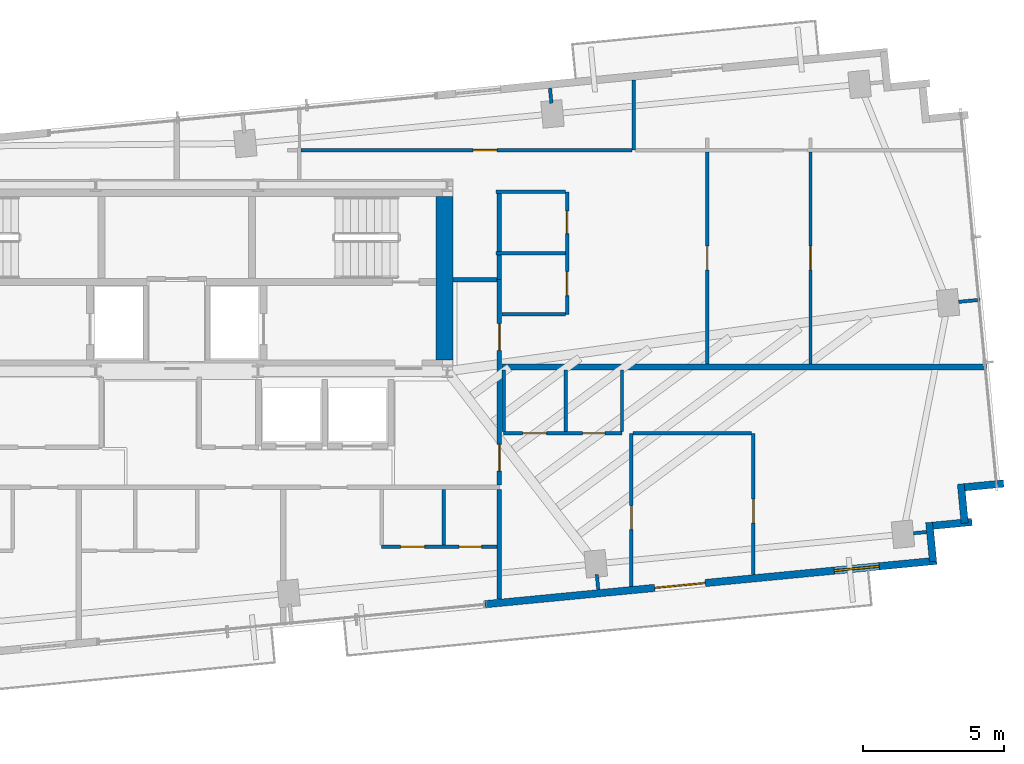
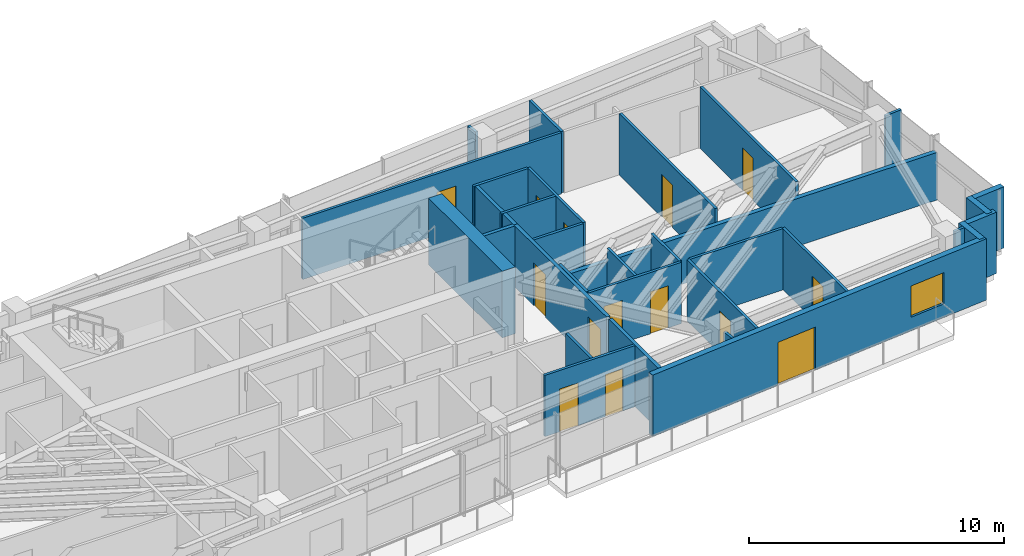
# One storey, part 15 of 18: 33 walls, 14 doors, 1 window, 15 openings.
"""IFC4 building model written with IfcOpenShell, lengths in metres."""

from ifc_helpers import new_model, si_unit, direction, frame, frame_2d, origin, place, context, subcontext, project, spatial, rectangle, extrude, source, transform, mapped, material, layer, layer_set, type_object, type_shapes, element, fill, save


model = new_model("IFC4")

# Units and contexts
model_context = context("Model", 3, precision=1e-05, world=origin(), true_north=direction((0.0, 1.0)))
body_context = subcontext(model_context, "Body", "Model", "MODEL_VIEW")
ifc_project = project(units=[si_unit("LENGTHUNIT", "METRE"), si_unit("AREAUNIT", "SQUARE_METRE"), si_unit("VOLUMEUNIT", "CUBIC_METRE"), si_unit("PLANEANGLEUNIT", "RADIAN"), si_unit("MASSUNIT", "GRAM", prefix="KILO")], contexts=[model_context])

# Site, building, storey
site_placement = place(None, origin())
site = spatial("IfcSite", under=ifc_project, at=site_placement, CompositionType="ELEMENT")
building_placement = place(site_placement, origin())
building = spatial("IfcBuilding", under=site, at=building_placement, Name="Astriad Promenade Condominiums", CompositionType="ELEMENT")
storey_placement = place(building_placement, frame((0.0, 0.0, 189.0)))
storey = spatial("IfcBuildingStorey", under=building, at=storey_placement, Name="L54", CompositionType="ELEMENT", Elevation=189.0)

# Walls
ifc_material_1 = material(Name="Concrete C50/60", Category="concrete")
ifc_layer_1 = layer(ifc_material_1, 0.60009765625)
ifc_layer_set_1 = layer_set([ifc_layer_1], Name="Concrete C50/60")
wall_type_1 = type_object("IfcWallType", Name="CW-SHEAR-600", PredefinedType="SHEAR", material=ifc_layer_set_1)
wall_1_placement = place(storey_placement, frame((45.5, 17.802001953125, 0.0), z_axis=(0.0, 0.0, 1.0), x_axis=(0.0, 1.0, 0.0)))
element("IfcWall", 1, at=wall_1_placement, inside=storey, type_object=wall_type_1, Name="CW-CORE-E-L54", PredefinedType="SHEAR", context=body_context, shape_type="SweptSolid", body=[
    extrude(rectangle(XDim=5.7958984375, YDim=0.60009765625, at=frame_2d((2.89794921875, 0.0))), origin(), (0.0, 0.0, 1.0), 3.199951171875),
])
ifc_material_2 = material(Name="Fire-Rated Gypsum Partition")
ifc_layer_2 = layer(ifc_material_2, 0.159912109375)
ifc_layer_set_2 = layer_set([ifc_layer_2], Name="Fire-Rated Gypsum Partition")
wall_type_2 = type_object("IfcWallType", Name="WALL-CORR-160", PredefinedType="PARTITIONING", material=ifc_layer_set_2)
wall_2_placement = place(storey_placement, frame((47.449951171875, 9.315185546875, 0.0), z_axis=(0.0, 0.0, 1.0), x_axis=(0.0, 1.0, 0.0)))
element("IfcWall", 2, at=wall_2_placement, inside=storey, type_object=wall_type_2, Name="PT-COR-E-L54", PredefinedType="PARTITIONING", context=body_context, shape_type="SweptSolid", body=[
    extrude(rectangle(XDim=3.8828125, YDim=0.159912109375, at=frame_2d((1.94140625, 0.0))), origin(), (0.0, 0.0, 1.0), 2.93994140625),
])

# Wall, openings, doors
wall_3_placement = place(storey_placement, frame((47.449951171875, 13.362060546875, 0.0), z_axis=(0.0, 0.0, 1.0), x_axis=(0.0, 1.0, 0.0)))
wall_3 = element("IfcWall", 3, at=wall_3_placement, inside=storey, type_object=wall_type_2, Name="PT-COR-E-L54-S2", PredefinedType="PARTITIONING", context=body_context, shape_type="SweptSolid", body=[
    extrude(rectangle(XDim=7.287841796875, YDim=0.159912109375, at=frame_2d((3.64404296875, 0.0))), origin(), (0.0, 0.0, 1.0), 2.93994140625),
])
opening_1_placement = place(wall_3_placement, frame((0.492919921875, 0.0, 0.0)))
opening_1 = element("IfcOpeningElement", 4, at=opening_1_placement, cuts=wall_3, Name="Opening FD60-APT-095", PredefinedType="OPENING", context=body_context, shape_type="SweptSolid", body=[
    extrude(rectangle(XDim=0.949951171875, YDim=2.06005859375, at=frame_2d((0.47509765625, 1.030029296875))), frame((0.0, 0.08984375, 0.0), z_axis=(0.0, -1.0, 0.0), x_axis=(1.0, 0.0, 0.0)), (0.0, 0.0, 1.0), 0.179931640625),
])
opening_2_placement = place(wall_3_placement, frame((4.782958984375, 0.0, 0.0)))
opening_2 = element("IfcOpeningElement", 5, at=opening_2_placement, cuts=wall_3, Name="Opening FD60-APT-095", PredefinedType="OPENING", context=body_context, shape_type="SweptSolid", body=[
    extrude(rectangle(XDim=0.949951171875, YDim=2.06005859375, at=frame_2d((0.47509765625, 1.030029296875))), frame((0.0, 0.08984375, 0.0), z_axis=(0.0, -1.0, 0.0), x_axis=(1.0, 0.0, 0.0)), (0.0, 0.0, 1.0), 0.179931640625),
])
ifc_material_3 = material(Name="Solid-Core Acoustic Timber Residence Entry Door", Category="wood")
door_type_1 = type_object("IfcDoorType", Name="FD60-APT-095", OperationType="NOTDEFINED", PredefinedType="DOOR", material=ifc_material_3)
shared_shape_1 = source(origin(), body_context, "Body", "SweptSolid", [
    extrude(rectangle(XDim=0.949951171875, YDim=2.06005859375, at=frame_2d((0.47509765625, 1.030029296875))), frame((0.0, 0.02490234375, 0.0), z_axis=(0.0, -1.0, 0.0), x_axis=(1.0, 0.0, 0.0)), (0.0, 0.0, 1.0), 0.050048828125),
])
type_shapes(door_type_1, [shared_shape_1])
door_1_placement = place(opening_1_placement, origin())
door_1 = element("IfcDoor", 6, at=door_1_placement, inside=storey, type_object=door_type_1, Name="D-ENT-L54-E1", OperationType="SINGLE_SWING_LEFT", OverallHeight=2.06005859375, OverallWidth=0.949951171875, PredefinedType="DOOR", context=body_context, shape_type="MappedRepresentation", body=[
    mapped(shared_shape_1, transform((0.0, 0.0, 0.0), scale=1.0)),
])
fill(opening_1, door_1)
door_2_placement = place(opening_2_placement, origin())
door_2 = element("IfcDoor", 7, at=door_2_placement, inside=storey, type_object=door_type_1, Name="D-ENT-L54-E2", OperationType="SINGLE_SWING_RIGHT", OverallHeight=2.06005859375, OverallWidth=0.949951171875, PredefinedType="DOOR", context=body_context, shape_type="MappedRepresentation", body=[
    mapped(shared_shape_1, transform((0.0, 0.0, 0.0), scale=1.0)),
])
fill(opening_2, door_2)

# Walls
wall_4_placement = place(storey_placement, frame((45.802001953125, 20.64990234375, 0.0), z_axis=(0.0, 0.0, 1.0), x_axis=(1.0, 0.0, 0.0)))
element("IfcWall", 8, at=wall_4_placement, inside=storey, type_object=wall_type_2, Name="PT-Z3E-N-L54", PredefinedType="PARTITIONING", context=body_context, shape_type="SweptSolid", body=[
    extrude(rectangle(XDim=1.56591796875, YDim=0.159912109375, at=frame_2d((0.782958984375, 0.0))), origin(), (0.0, 0.0, 1.0), 2.93994140625),
])
wall_5_placement = place(storey_placement, frame((47.449951171875, 20.64990234375, 0.0), z_axis=(0.0, 0.0, 1.0), x_axis=(0.0, 1.0, 0.0)))
element("IfcWall", 9, at=wall_5_placement, inside=storey, type_object=wall_type_2, Name="PT-L54-E2-PBK", PredefinedType="PARTITIONING", context=body_context, shape_type="SweptSolid", body=[
    extrude(rectangle(XDim=0.883056640625, YDim=0.159912109375, at=frame_2d((0.44140625, 0.0))), origin(), (0.0, 0.0, 1.0), 2.93994140625),
])
wall_6_placement = place(storey_placement, frame((47.449951171875, 21.656982421875, 0.0), z_axis=(0.0, 0.0, 1.0), x_axis=(0.0, 1.0, 0.0)))
element("IfcWall", 10, at=wall_6_placement, inside=storey, type_object=wall_type_2, Name="PT-L54-E2-PBK-S2", PredefinedType="PARTITIONING", context=body_context, shape_type="SweptSolid", body=[
    extrude(rectangle(XDim=2.051025390625, YDim=0.159912109375, at=frame_2d((1.025390625, 0.0))), origin(), (0.0, 0.0, 1.0), 2.93994140625),
])
ifc_material_4 = material(Name="Acoustic Double-Stud Gypsum Partition")
ifc_layer_3 = layer(ifc_material_4, 0.199951171875)
ifc_layer_set_3 = layer_set([ifc_layer_3], Name="Acoustic Double-Stud Gypsum Partition")
wall_type_3 = type_object("IfcWallType", Name="WALL-DEMISING-200", PredefinedType="PARTITIONING", material=ifc_layer_set_3)
wall_7_placement = place(storey_placement, frame((47.531982421875, 17.550048828125, 0.0), z_axis=(0.0, 0.0, 1.0), x_axis=(1.0, 0.0, 0.0)))
element("IfcWall", 11, at=wall_7_placement, inside=storey, type_object=wall_type_3, Name="PT-DEM-EE-L54", PredefinedType="PARTITIONING", context=body_context, shape_type="SweptSolid", body=[
    extrude(rectangle(XDim=17.200927734375, YDim=0.199951171875, at=frame_2d((8.6005859375, 0.0))), origin(), (0.0, 0.0, 1.0), 2.281494140625),
])
ifc_material_5 = material(Name="Precast concrete C50/60", Category="concrete")
ifc_layer_4 = layer(ifc_material_5, 0.260009765625)
ifc_layer_set_4 = layer_set([ifc_layer_4], Name="Precast concrete C50/60")
wall_type_4 = type_object("IfcWallType", Name="WALL-EXT-TWR-260", PredefinedType="STANDARD", material=ifc_layer_set_4)
wall_8_placement = place(storey_placement, frame((65.341796875, 13.416748046875, 0.0), z_axis=(0.0, 0.0, 1.0), x_axis=(-0.99540774648, -0.095725744959, 0.0)))
element("IfcWall", 12, at=wall_8_placement, inside=storey, type_object=wall_type_4, Name="W-SER-L54-14", PredefinedType="STANDARD", context=body_context, shape_type="SweptSolid", body=[
    extrude(rectangle(XDim=1.39501953125, YDim=0.260009765625, at=frame_2d((0.697509765625, 0.0))), origin(), (0.0, 0.0, 1.0), 2.93994140625),
])
wall_9_placement = place(storey_placement, frame((63.826171875, 13.4013671875, 0.0), z_axis=(0.0, 0.0, 1.0), x_axis=(0.095915846097, -0.995389446633, 0.0)))
element("IfcWall", 13, at=wall_9_placement, inside=storey, type_object=wall_type_4, Name="W-SER-L54-15", PredefinedType="STANDARD", context=body_context, shape_type="SweptSolid", body=[
    extrude(rectangle(XDim=1.394775390625, YDim=0.260009765625, at=frame_2d((0.697265625, 0.0))), origin(), (0.0, 0.0, 1.0), 2.93994140625),
])
for number, where, z_axis, x_axis, name in (
    (14, (64.21728515625, 12.052734375, 0.0), (0.0, 0.0, 1.0), (-0.99540774648, -0.095725744959, 0.0), "W-SER-L54-16"),
    (15, (62.701904296875, 12.037353515625, 0.0), (0.0, 0.0, 1.0), (0.095725744959, -0.99540774648, 0.0), "W-SER-L54-17"),
):
    element("IfcWall", number, at=place(storey_placement, frame(where, z_axis=z_axis, x_axis=x_axis)), inside=storey, type_object=wall_type_4, Name=name, PredefinedType="STANDARD", context=body_context, shape_type="SweptSolid", body=[
        extrude(rectangle(XDim=1.39501953125, YDim=0.260009765625, at=frame_2d((0.697509765625, 0.0))), origin(), (0.0, 0.0, 1.0), 2.93994140625),
    ])

# Wall, openings, door, window
wall_10_placement = place(storey_placement, frame((62.96337890625, 10.67626953125, 0.0), z_axis=(0.0, 0.0, 1.0), x_axis=(-0.995395627913, -0.095851676732, 0.0)))
wall_10 = element("IfcWall", 16, at=wall_10_placement, inside=storey, type_object=wall_type_4, Name="W-EXT-L54-S1", PredefinedType="STANDARD", context=body_context, shape_type="SweptSolid", body=[
    extrude(rectangle(XDim=16.10009765625, YDim=0.260009765625, at=frame_2d((8.050048828125, 0.0))), origin(), (0.0, 0.0, 1.0), 2.93994140625),
])
opening_3_placement = place(wall_10_placement, frame((8.2470703125, 0.0, 0.0)))
opening_3 = element("IfcOpeningElement", 17, at=opening_3_placement, cuts=wall_10, Name="Opening BD-1822-SLD", PredefinedType="OPENING", context=body_context, shape_type="SweptSolid", body=[
    extrude(rectangle(XDim=1.800048828125, YDim=2.06005859375, at=frame_2d((0.89990234375, 1.030029296875))), frame((0.0, 0.139892578125, 0.0), z_axis=(0.0, -1.0, 0.0), x_axis=(1.0, 0.0, 0.0)), (0.0, 0.0, 1.0), 0.280029296875),
])
opening_4_placement = place(wall_10_placement, frame((2.050048828125, 0.0, 0.64990234375)))
opening_4 = element("IfcOpeningElement", 18, at=opening_4_placement, cuts=wall_10, Name="Opening WIN-TWR-1620", PredefinedType="OPENING", context=body_context, shape_type="SweptSolid", body=[
    extrude(rectangle(XDim=1.60009765625, YDim=1.5, at=frame_2d((0.800048828125, 0.75))), frame((0.0, 0.139892578125, 0.0), z_axis=(0.0, -1.0, 0.0), x_axis=(1.0, 0.0, 0.0)), (0.0, 0.0, 1.0), 0.280029296875),
])
ifc_material_6 = material(Name="Thermally Broken Aluminium Sliding Balcony Door", Category="aluminium")
door_type_2 = type_object("IfcDoorType", Name="BD-1822-SLD", OperationType="NOTDEFINED", PredefinedType="DOOR", material=ifc_material_6)
shared_shape_2 = source(origin(), body_context, "Body", "SweptSolid", [
    extrude(rectangle(XDim=1.800048828125, YDim=2.06005859375, at=frame_2d((0.89990234375, 1.030029296875))), frame((0.0, 0.02490234375, 0.0), z_axis=(0.0, -1.0, 0.0), x_axis=(1.0, 0.0, 0.0)), (0.0, 0.0, 1.0), 0.050048828125),
])
type_shapes(door_type_2, [shared_shape_2])
door_3_placement = place(opening_3_placement, origin())
door_3 = element("IfcDoor", 19, at=door_3_placement, inside=storey, type_object=door_type_2, Name="BD-L54-SE", OperationType="SLIDING_TO_RIGHT", OverallHeight=2.06005859375, OverallWidth=1.800048828125, PredefinedType="DOOR", context=body_context, shape_type="MappedRepresentation", body=[
    mapped(shared_shape_2, transform((0.0, 0.0, 0.0), scale=1.0)),
])
fill(opening_3, door_3)
ifc_material_7 = material(Name="Dark Tinted Triple-Glazed Aluminium Window", Category="aluminium")
window_type = type_object("IfcWindowType", Name="WIN-TWR-1620", PartitioningType="SINGLE_PANEL", PredefinedType="WINDOW", material=ifc_material_7)
shared_shape_3 = source(origin(), body_context, "Body", "SweptSolid", [
    extrude(rectangle(XDim=1.60009765625, YDim=1.5, at=frame_2d((0.800048828125, 0.75))), frame((0.0, 0.030029296875, 0.0), z_axis=(0.0, -1.0, 0.0), x_axis=(1.0, 0.0, 0.0)), (0.0, 0.0, 1.0), 0.06005859375),
])
type_shapes(window_type, [shared_shape_3])
window_placement = place(opening_4_placement, origin())
window = element("IfcWindow", 20, at=window_placement, inside=storey, type_object=window_type, Name="WIN-L54-SE", OverallHeight=1.5, OverallWidth=1.60009765625, PartitioningType="SINGLE_PANEL", PredefinedType="WINDOW", context=body_context, shape_type="MappedRepresentation", body=[
    mapped(shared_shape_3, transform((0.0, 0.0, 0.0), scale=1.0)),
])
fill(opening_4, window)

# Wall, openings, doors
ifc_material_8 = material(Name="Acoustic Metal-Stud Gypsum Partition")
ifc_layer_5 = layer(ifc_material_8, 0.1201171875)
ifc_layer_set_5 = layer_set([ifc_layer_5], Name="Acoustic Metal-Stud Gypsum Partition")
wall_type_5 = type_object("IfcWallType", Name="WALL-PART-120", PredefinedType="PARTITIONING", material=ifc_layer_set_5)
wall_11_placement = place(storey_placement, frame((43.27001953125, 11.172119140625, 0.0), z_axis=(0.0, 0.0, 1.0), x_axis=(1.0, 0.0, 0.0)))
wall_11 = element("IfcWall", 21, at=wall_11_placement, inside=storey, type_object=wall_type_5, Name="PT-L54-S3-PS", PredefinedType="PARTITIONING", context=body_context, shape_type="SweptSolid", body=[
    extrude(rectangle(XDim=4.097900390625, YDim=0.1201171875, at=frame_2d((2.048828125, 0.0))), origin(), (0.0, 0.0, 1.0), 2.93994140625),
])
opening_5_placement = place(wall_11_placement, frame((0.675048828125, 0.0, 0.0)))
opening_5 = element("IfcOpeningElement", 22, at=opening_5_placement, cuts=wall_11, Name="Opening D-INT-085", PredefinedType="OPENING", context=body_context, shape_type="SweptSolid", body=[
    extrude(rectangle(XDim=0.85009765625, YDim=2.050048828125, at=frame_2d((0.425048828125, 1.02490234375))), frame((0.0, 0.070068359375, 0.0), z_axis=(0.0, -1.0, 0.0), x_axis=(1.0, 0.0, 0.0)), (0.0, 0.0, 1.0), 0.14013671875),
])
opening_6_placement = place(wall_11_placement, frame((2.75, 0.0, 0.0)))
opening_6 = element("IfcOpeningElement", 23, at=opening_6_placement, cuts=wall_11, Name="Opening D-WET-080", PredefinedType="OPENING", context=body_context, shape_type="SweptSolid", body=[
    extrude(rectangle(XDim=0.800048828125, YDim=2.02001953125, at=frame_2d((0.39990234375, 1.010009765625))), frame((0.0, 0.070068359375, 0.0), z_axis=(0.0, -1.0, 0.0), x_axis=(1.0, 0.0, 0.0)), (0.0, 0.0, 1.0), 0.14013671875),
])
ifc_material_9 = material(Name="Moisture-Resistant Timber Bathroom Door", Category="wood")
door_type_3 = type_object("IfcDoorType", Name="D-WET-080", OperationType="NOTDEFINED", PredefinedType="DOOR", material=ifc_material_9)
shared_shape_4 = source(origin(), body_context, "Body", "SweptSolid", [
    extrude(rectangle(XDim=0.800048828125, YDim=2.02001953125, at=frame_2d((0.39990234375, 1.010009765625))), frame((0.0, 0.02490234375, 0.0), z_axis=(0.0, -1.0, 0.0), x_axis=(1.0, 0.0, 0.0)), (0.0, 0.0, 1.0), 0.050048828125),
])
type_shapes(door_type_3, [shared_shape_4])
door_4_placement = place(opening_6_placement, origin())
door_4 = element("IfcDoor", 24, at=door_4_placement, inside=storey, type_object=door_type_3, Name="D-BTH-L54-S3", OperationType="SINGLE_SWING_RIGHT", OverallHeight=2.02001953125, OverallWidth=0.800048828125, PredefinedType="DOOR", context=body_context, shape_type="MappedRepresentation", body=[
    mapped(shared_shape_4, transform((0.0, 0.0, 0.0), scale=1.0)),
])
fill(opening_6, door_4)
ifc_material_10 = material(Name="Painted Solid-Core Timber Room Door", Category="wood")
door_type_4 = type_object("IfcDoorType", Name="D-INT-085", OperationType="NOTDEFINED", PredefinedType="DOOR", material=ifc_material_10)
shared_shape_5 = source(origin(), body_context, "Body", "SweptSolid", [
    extrude(rectangle(XDim=0.85009765625, YDim=2.050048828125, at=frame_2d((0.425048828125, 1.02490234375))), frame((0.0, 0.02490234375, 0.0), z_axis=(0.0, -1.0, 0.0), x_axis=(1.0, 0.0, 0.0)), (0.0, 0.0, 1.0), 0.050048828125),
])
type_shapes(door_type_4, [shared_shape_5])
door_5_placement = place(opening_5_placement, origin())
door_5 = element("IfcDoor", 25, at=door_5_placement, inside=storey, type_object=door_type_4, Name="D-KIT-L54-S3", OperationType="SINGLE_SWING_LEFT", OverallHeight=2.050048828125, OverallWidth=0.85009765625, PredefinedType="DOOR", context=body_context, shape_type="MappedRepresentation", body=[
    mapped(shared_shape_5, transform((0.0, 0.0, 0.0), scale=1.0)),
])
fill(opening_5, door_5)

# Wall
wall_12_placement = place(storey_placement, frame((45.469970703125, 11.23388671875, 0.0), z_axis=(0.0, 0.0, 1.0), x_axis=(0.0, 1.0, 0.0)))
element("IfcWall", 26, at=wall_12_placement, inside=storey, type_object=wall_type_5, Name="PT-L54-S3-PB", PredefinedType="PARTITIONING", context=body_context, shape_type="SweptSolid", body=[
    extrude(rectangle(XDim=1.964111328125, YDim=0.1201171875, at=frame_2d((0.98193359375, 0.0))), origin(), (0.0, 0.0, 1.0), 2.93994140625),
])

# Wall, openings, doors
wall_13_placement = place(storey_placement, frame((47.60009765625, 15.199951171875, 0.0), z_axis=(0.0, 0.0, 1.0), x_axis=(1.0, 0.0, 0.0)))
wall_13 = element("IfcWall", 27, at=wall_13_placement, inside=storey, type_object=wall_type_5, Name="PT-L54-E1-PH", PredefinedType="PARTITIONING", context=body_context, shape_type="SweptSolid", body=[
    extrude(rectangle(XDim=4.199951171875, YDim=0.1201171875, at=frame_2d((2.10009765625, 0.0))), origin(), (0.0, 0.0, 1.0), 2.93994140625),
])
opening_7_placement = place(wall_13_placement, frame((0.675048828125, 0.0, 0.0)))
opening_7 = element("IfcOpeningElement", 28, at=opening_7_placement, cuts=wall_13, Name="Opening D-INT-085", PredefinedType="OPENING", context=body_context, shape_type="SweptSolid", body=[
    extrude(rectangle(XDim=0.85009765625, YDim=2.050048828125, at=frame_2d((0.425048828125, 1.02490234375))), frame((0.0, 0.070068359375, 0.0), z_axis=(0.0, -1.0, 0.0), x_axis=(1.0, 0.0, 0.0)), (0.0, 0.0, 1.0), 0.14013671875),
])
opening_8_placement = place(wall_13_placement, frame((2.800048828125, 0.0, 0.0)))
opening_8 = element("IfcOpeningElement", 29, at=opening_8_placement, cuts=wall_13, Name="Opening D-WET-080", PredefinedType="OPENING", context=body_context, shape_type="SweptSolid", body=[
    extrude(rectangle(XDim=0.800048828125, YDim=2.02001953125, at=frame_2d((0.39990234375, 1.010009765625))), frame((0.0, 0.070068359375, 0.0), z_axis=(0.0, -1.0, 0.0), x_axis=(1.0, 0.0, 0.0)), (0.0, 0.0, 1.0), 0.14013671875),
])
door_6_placement = place(opening_8_placement, origin())
door_6 = element("IfcDoor", 30, at=door_6_placement, inside=storey, type_object=door_type_3, Name="D-BTH-L54-E1", OperationType="SINGLE_SWING_LEFT", OverallHeight=2.02001953125, OverallWidth=0.800048828125, PredefinedType="DOOR", context=body_context, shape_type="MappedRepresentation", body=[
    mapped(shared_shape_4, transform((0.0, 0.0, 0.0), scale=1.0)),
])
fill(opening_8, door_6)
door_7_placement = place(opening_7_placement, origin())
door_7 = element("IfcDoor", 31, at=door_7_placement, inside=storey, type_object=door_type_4, Name="D-KIT-L54-E1", OperationType="SINGLE_SWING_RIGHT", OverallHeight=2.050048828125, OverallWidth=0.85009765625, PredefinedType="DOOR", context=body_context, shape_type="MappedRepresentation", body=[
    mapped(shared_shape_5, transform((0.0, 0.0, 0.0), scale=1.0)),
])
fill(opening_7, door_7)

# Walls
for number, where, z_axis, x_axis, name in (
    (32, (47.60009765625, 15.261962890625, 0.0), (0.0, 0.0, 1.0), (0.0, 1.0, 0.0), "PT-L54-E1-PK1"),
    (33, (49.800048828125, 15.261962890625, 0.0), (0.0, 0.0, 1.0), (0.0, 1.0, 0.0), "PT-L54-E1-PK2"),
    (34, (51.800048828125, 15.261962890625, 0.0), (0.0, 0.0, 1.0), (0.0, 1.0, 0.0), "PT-L54-E1-PK3"),
):
    element("IfcWall", number, at=place(storey_placement, frame(where, z_axis=z_axis, x_axis=x_axis)), inside=storey, type_object=wall_type_5, Name=name, PredefinedType="PARTITIONING", context=body_context, shape_type="SweptSolid", body=[
        extrude(rectangle(XDim=2.18603515625, YDim=0.1201171875, at=frame_2d((1.093017578125, 0.0))), origin(), (0.0, 0.0, 1.0), 2.93994140625),
    ])

# Wall, opening, door
wall_14_placement = place(storey_placement, frame((52.1298828125, 9.765625, 0.0), z_axis=(0.0, 0.0, 1.0), x_axis=(0.0, 1.0, 0.0)))
wall_14 = element("IfcWall", 35, at=wall_14_placement, inside=storey, type_object=wall_type_5, Name="PT-L54-E1-CAP1", PredefinedType="PARTITIONING", context=body_context, shape_type="SweptSolid", body=[
    extrude(rectangle(XDim=5.434326171875, YDim=0.1201171875, at=frame_2d((2.71728515625, 0.0))), origin(), (0.0, 0.0, 1.0), 2.93994140625),
])
opening_9_placement = place(wall_14_placement, frame((2.019287109375, 0.0, 0.0)))
opening_9 = element("IfcOpeningElement", 36, at=opening_9_placement, cuts=wall_14, Name="Opening D-INT-085", PredefinedType="OPENING", context=body_context, shape_type="SweptSolid", body=[
    extrude(rectangle(XDim=0.85009765625, YDim=2.050048828125, at=frame_2d((0.425048828125, 1.02490234375))), frame((0.0, 0.070068359375, 0.0), z_axis=(0.0, -1.0, 0.0), x_axis=(1.0, 0.0, 0.0)), (0.0, 0.0, 1.0), 0.14013671875),
])
door_8_placement = place(opening_9_placement, origin())
door_8 = element("IfcDoor", 37, at=door_8_placement, inside=storey, type_object=door_type_4, Name="D-CAP1-L54-E1", OperationType="SINGLE_SWING_RIGHT", OverallHeight=2.050048828125, OverallWidth=0.85009765625, PredefinedType="DOOR", context=body_context, shape_type="MappedRepresentation", body=[
    mapped(shared_shape_5, transform((0.0, 0.0, 0.0), scale=1.0)),
])
fill(opening_9, door_8)

wall_15_placement = place(storey_placement, frame((56.4599609375, 10.1826171875, 0.0), z_axis=(0.0, 0.0, 1.0), x_axis=(0.0, 1.0, 0.0)))
wall_15 = element("IfcWall", 38, at=wall_15_placement, inside=storey, type_object=wall_type_5, Name="PT-L54-E1-CAP2", PredefinedType="PARTITIONING", context=body_context, shape_type="SweptSolid", body=[
    extrude(rectangle(XDim=5.017333984375, YDim=0.1201171875, at=frame_2d((2.5087890625, 0.0))), origin(), (0.0, 0.0, 1.0), 2.93994140625),
])
opening_10_placement = place(wall_15_placement, frame((1.826416015625, 0.0, 0.0)))
opening_10 = element("IfcOpeningElement", 39, at=opening_10_placement, cuts=wall_15, Name="Opening D-INT-085", PredefinedType="OPENING", context=body_context, shape_type="SweptSolid", body=[
    extrude(rectangle(XDim=0.85009765625, YDim=2.050048828125, at=frame_2d((0.425048828125, 1.02490234375))), frame((0.0, 0.070068359375, 0.0), z_axis=(0.0, -1.0, 0.0), x_axis=(1.0, 0.0, 0.0)), (0.0, 0.0, 1.0), 0.14013671875),
])
door_9_placement = place(opening_10_placement, origin())
door_9 = element("IfcDoor", 40, at=door_9_placement, inside=storey, type_object=door_type_4, Name="D-CAP2-L54-E1", OperationType="SINGLE_SWING_LEFT", OverallHeight=2.050048828125, OverallWidth=0.85009765625, PredefinedType="DOOR", context=body_context, shape_type="MappedRepresentation", body=[
    mapped(shared_shape_5, transform((0.0, 0.0, 0.0), scale=1.0)),
])
fill(opening_10, door_9)

# Wall
wall_16_placement = place(storey_placement, frame((52.19189453125, 15.199951171875, 0.0), z_axis=(0.0, 0.0, 1.0), x_axis=(1.0, 0.0, 0.0)))
element("IfcWall", 41, at=wall_16_placement, inside=storey, type_object=wall_type_5, Name="PT-L54-E1-CAP2H", PredefinedType="PARTITIONING", context=body_context, shape_type="SweptSolid", body=[
    extrude(rectangle(XDim=4.2060546875, YDim=0.1201171875, at=frame_2d((2.10302734375, 0.0))), origin(), (0.0, 0.0, 1.0), 2.93994140625),
])

# Wall, openings, doors
wall_17_placement = place(storey_placement, frame((49.85009765625, 19.419921875, 0.0), z_axis=(0.0, 0.0, 1.0), x_axis=(0.0, 1.0, 0.0)))
wall_17 = element("IfcWall", 42, at=wall_17_placement, inside=storey, type_object=wall_type_5, Name="PT-L54-E2-PV", PredefinedType="PARTITIONING", context=body_context, shape_type="SweptSolid", body=[
    extrude(rectangle(XDim=4.35009765625, YDim=0.1201171875, at=frame_2d((2.175048828125, 0.0))), origin(), (0.0, 0.0, 1.0), 2.93994140625),
])
opening_11_placement = place(wall_17_placement, frame((0.6630859375, 0.0, 0.0)))
opening_11 = element("IfcOpeningElement", 43, at=opening_11_placement, cuts=wall_17, Name="Opening D-INT-085", PredefinedType="OPENING", context=body_context, shape_type="SweptSolid", body=[
    extrude(rectangle(XDim=0.85009765625, YDim=2.050048828125, at=frame_2d((0.425048828125, 1.02490234375))), frame((0.0, 0.070068359375, 0.0), z_axis=(0.0, -1.0, 0.0), x_axis=(1.0, 0.0, 0.0)), (0.0, 0.0, 1.0), 0.14013671875),
])
opening_12_placement = place(wall_17_placement, frame((2.862060546875, 0.0, 0.0)))
opening_12 = element("IfcOpeningElement", 44, at=opening_12_placement, cuts=wall_17, Name="Opening D-WET-080", PredefinedType="OPENING", context=body_context, shape_type="SweptSolid", body=[
    extrude(rectangle(XDim=0.800048828125, YDim=2.02001953125, at=frame_2d((0.39990234375, 1.010009765625))), frame((0.0, 0.070068359375, 0.0), z_axis=(0.0, -1.0, 0.0), x_axis=(1.0, 0.0, 0.0)), (0.0, 0.0, 1.0), 0.14013671875),
])
door_10_placement = place(opening_12_placement, origin())
door_10 = element("IfcDoor", 45, at=door_10_placement, inside=storey, type_object=door_type_3, Name="D-BTH-L54-E2", OperationType="SINGLE_SWING_RIGHT", OverallHeight=2.02001953125, OverallWidth=0.800048828125, PredefinedType="DOOR", context=body_context, shape_type="MappedRepresentation", body=[
    mapped(shared_shape_4, transform((0.0, 0.0, 0.0), scale=1.0)),
])
fill(opening_12, door_10)
door_11_placement = place(opening_11_placement, origin())
door_11 = element("IfcDoor", 46, at=door_11_placement, inside=storey, type_object=door_type_4, Name="D-KIT-L54-E2", OperationType="SINGLE_SWING_LEFT", OverallHeight=2.050048828125, OverallWidth=0.85009765625, PredefinedType="DOOR", context=body_context, shape_type="MappedRepresentation", body=[
    mapped(shared_shape_5, transform((0.0, 0.0, 0.0), scale=1.0)),
])
fill(opening_11, door_11)

# Walls
wall_18_placement = place(storey_placement, frame((47.330078125, 21.594970703125, 0.0), z_axis=(0.0, 0.0, 1.0), x_axis=(1.0, 0.0, 0.0)))
element("IfcWall", 47, at=wall_18_placement, inside=storey, type_object=wall_type_5, Name="PT-L54-E2-PM", PredefinedType="PARTITIONING", context=body_context, shape_type="SweptSolid", body=[
    extrude(rectangle(XDim=2.4580078125, YDim=0.1201171875, at=frame_2d((1.22900390625, 0.0))), origin(), (0.0, 0.0, 1.0), 2.93994140625),
])
wall_19_placement = place(storey_placement, frame((47.531982421875, 19.419921875, 0.0), z_axis=(0.0, 0.0, 1.0), x_axis=(1.0, 0.0, 0.0)))
element("IfcWall", 48, at=wall_19_placement, inside=storey, type_object=wall_type_5, Name="PT-L54-E2-PS", PredefinedType="PARTITIONING", context=body_context, shape_type="SweptSolid", body=[
    extrude(rectangle(XDim=2.256103515625, YDim=0.1201171875, at=frame_2d((1.1279296875, 0.0))), origin(), (0.0, 0.0, 1.0), 2.93994140625),
])
wall_20_placement = place(storey_placement, frame((47.330078125, 23.77001953125, 0.0), z_axis=(0.0, 0.0, 1.0), x_axis=(1.0, 0.0, 0.0)))
element("IfcWall", 49, at=wall_20_placement, inside=storey, type_object=wall_type_5, Name="PT-L54-E2-PN", PredefinedType="PARTITIONING", context=body_context, shape_type="SweptSolid", body=[
    extrude(rectangle(XDim=2.4580078125, YDim=0.1201171875, at=frame_2d((1.22900390625, 0.0))), origin(), (0.0, 0.0, 1.0), 2.93994140625),
])
wall_21_placement = place(storey_placement, frame((52.218017578125, 25.2470703125, 0.0), z_axis=(0.0, 0.0, 1.0), x_axis=(0.0, 1.0, 0.0)))
element("IfcWall", 50, at=wall_21_placement, inside=storey, type_object=wall_type_5, Name="PT-L54-E2-B1M", PredefinedType="PARTITIONING", context=body_context, shape_type="SweptSolid", body=[
    extrude(rectangle(XDim=2.48583984375, YDim=0.1201171875, at=frame_2d((1.242919921875, 0.0))), origin(), (0.0, 0.0, 1.0), 2.93994140625),
])

# Wall, opening, door
wall_22_placement = place(storey_placement, frame((40.412109375, 25.2470703125, 0.0), z_axis=(0.0, 0.0, 1.0), x_axis=(1.0, 0.0, 0.0)))
wall_22 = element("IfcWall", 51, at=wall_22_placement, inside=storey, type_object=wall_type_5, Name="PT-L54-E2-B1-S2", PredefinedType="PARTITIONING", context=body_context, shape_type="SweptSolid", body=[
    extrude(rectangle(XDim=11.743896484375, YDim=0.1201171875, at=frame_2d((5.8720703125, 0.0))), origin(), (0.0, 0.0, 1.0), 2.93994140625),
])
opening_13_placement = place(wall_22_placement, frame((6.10009765625, 0.0, 0.0)))
opening_13 = element("IfcOpeningElement", 52, at=opening_13_placement, cuts=wall_22, Name="Opening D-INT-085", PredefinedType="OPENING", context=body_context, shape_type="SweptSolid", body=[
    extrude(rectangle(XDim=0.85009765625, YDim=2.050048828125, at=frame_2d((0.425048828125, 1.02490234375))), frame((0.0, 0.070068359375, 0.0), z_axis=(0.0, -1.0, 0.0), x_axis=(1.0, 0.0, 0.0)), (0.0, 0.0, 1.0), 0.14013671875),
])
door_12_placement = place(opening_13_placement, origin())
door_12 = element("IfcDoor", 53, at=door_12_placement, inside=storey, type_object=door_type_4, Name="D-BD1-L54-E2", OperationType="SINGLE_SWING_RIGHT", OverallHeight=2.050048828125, OverallWidth=0.85009765625, PredefinedType="DOOR", context=body_context, shape_type="MappedRepresentation", body=[
    mapped(shared_shape_5, transform((0.0, 0.0, 0.0), scale=1.0)),
])
fill(opening_13, door_12)

wall_23_placement = place(storey_placement, frame((58.488037109375, 17.652099609375, 0.0), z_axis=(0.0, 0.0, 1.0), x_axis=(0.0, 1.0, 0.0)))
wall_23 = element("IfcWall", 54, at=wall_23_placement, inside=storey, type_object=wall_type_5, Name="PT-L54-E2-WDV1", PredefinedType="PARTITIONING", context=body_context, shape_type="SweptSolid", body=[
    extrude(rectangle(XDim=7.532958984375, YDim=0.1201171875, at=frame_2d((3.7666015625, 0.0))), origin(), (0.0, 0.0, 1.0), 2.93994140625),
])
opening_14_placement = place(wall_23_placement, frame((3.342041015625, 0.0, 0.0)))
opening_14 = element("IfcOpeningElement", 55, at=opening_14_placement, cuts=wall_23, Name="Opening D-INT-085", PredefinedType="OPENING", context=body_context, shape_type="SweptSolid", body=[
    extrude(rectangle(XDim=0.85009765625, YDim=2.050048828125, at=frame_2d((0.425048828125, 1.02490234375))), frame((0.0, 0.070068359375, 0.0), z_axis=(0.0, -1.0, 0.0), x_axis=(1.0, 0.0, 0.0)), (0.0, 0.0, 1.0), 0.14013671875),
])
door_13_placement = place(opening_14_placement, origin())
door_13 = element("IfcDoor", 56, at=door_13_placement, inside=storey, type_object=door_type_4, Name="D-WDV1-L54-E2", OperationType="SINGLE_SWING_RIGHT", OverallHeight=2.050048828125, OverallWidth=0.85009765625, PredefinedType="DOOR", context=body_context, shape_type="MappedRepresentation", body=[
    mapped(shared_shape_5, transform((0.0, 0.0, 0.0), scale=1.0)),
])
fill(opening_14, door_13)

wall_24_placement = place(storey_placement, frame((54.824951171875, 17.652099609375, 0.0), z_axis=(0.0, 0.0, 1.0), x_axis=(0.0, 1.0, 0.0)))
wall_24 = element("IfcWall", 57, at=wall_24_placement, inside=storey, type_object=wall_type_5, Name="PT-L54-E2-WDV2", PredefinedType="PARTITIONING", context=body_context, shape_type="SweptSolid", body=[
    extrude(rectangle(XDim=7.532958984375, YDim=0.1201171875, at=frame_2d((3.7666015625, 0.0))), origin(), (0.0, 0.0, 1.0), 2.93994140625),
])
opening_15_placement = place(wall_24_placement, frame((3.342041015625, 0.0, 0.0)))
opening_15 = element("IfcOpeningElement", 58, at=opening_15_placement, cuts=wall_24, Name="Opening D-INT-085", PredefinedType="OPENING", context=body_context, shape_type="SweptSolid", body=[
    extrude(rectangle(XDim=0.85009765625, YDim=2.050048828125, at=frame_2d((0.425048828125, 1.02490234375))), frame((0.0, 0.070068359375, 0.0), z_axis=(0.0, -1.0, 0.0), x_axis=(1.0, 0.0, 0.0)), (0.0, 0.0, 1.0), 0.14013671875),
])
door_14_placement = place(opening_15_placement, origin())
door_14 = element("IfcDoor", 59, at=door_14_placement, inside=storey, type_object=door_type_4, Name="D-WDV2-L54-E2", OperationType="SINGLE_SWING_LEFT", OverallHeight=2.050048828125, OverallWidth=0.85009765625, PredefinedType="DOOR", context=body_context, shape_type="MappedRepresentation", body=[
    mapped(shared_shape_5, transform((0.0, 0.0, 0.0), scale=1.0)),
])
fill(opening_15, door_14)

# Walls
wall_25_placement = place(storey_placement, frame((50.90478515625, 10.18798828125, 0.0), z_axis=(0.0, 0.0, 1.0), x_axis=(0.095772948675, -0.995403205893, 0.0)))
element("IfcWall", 60, at=wall_25_placement, inside=storey, type_object=wall_type_5, Name="PT-PIL-L54-PC04-11", PredefinedType="PARTITIONING", context=body_context, shape_type="SweptSolid", body=[
    extrude(rectangle(XDim=0.537841796875, YDim=0.1201171875, at=frame_2d((0.26904296875, 0.0))), origin(), (0.0, 0.0, 1.0), 2.93994140625),
])
wall_26_placement = place(storey_placement, frame((62.146240234375, 11.65234375, 0.0), z_axis=(0.0, 0.0, 1.0), x_axis=(0.995384576284, 0.09596637586, 0.0)))
element("IfcWall", 61, at=wall_26_placement, inside=storey, type_object=wall_type_5, Name="PT-PIL-L54-PC05-12", PredefinedType="PARTITIONING", context=body_context, shape_type="SweptSolid", body=[
    extrude(rectangle(XDim=0.4580078125, YDim=0.1201171875, at=frame_2d((0.22900390625, 0.0))), origin(), (0.0, 0.0, 1.0), 2.93994140625),
])
wall_27_placement = place(storey_placement, frame((49.29443359375, 26.910888671875, 0.0), z_axis=(0.0, 0.0, 1.0), x_axis=(-0.095772948675, 0.995403205893, 0.0)))
element("IfcWall", 62, at=wall_27_placement, inside=storey, type_object=wall_type_5, Name="PT-PIL-L54-PC09-16", PredefinedType="PARTITIONING", context=body_context, shape_type="SweptSolid", body=[
    extrude(rectangle(XDim=0.537841796875, YDim=0.1201171875, at=frame_2d((0.26904296875, 0.0))), origin(), (0.0, 0.0, 1.0), 2.93994140625),
])
wall_28_placement = place(storey_placement, frame((63.74658203125, 19.863525390625, 0.0), z_axis=(0.0, 0.0, 1.0), x_axis=(0.995405496295, 0.095749140702, 0.0)))
element("IfcWall", 63, at=wall_28_placement, inside=storey, type_object=wall_type_5, Name="PT-PIL-L54-PC12-19", PredefinedType="PARTITIONING", context=body_context, shape_type="SweptSolid", body=[
    extrude(rectangle(XDim=0.759765625, YDim=0.1201171875, at=frame_2d((0.3798828125, 0.0))), origin(), (0.0, 0.0, 1.0), 2.93994140625),
])

save(model, "model.ifc")
